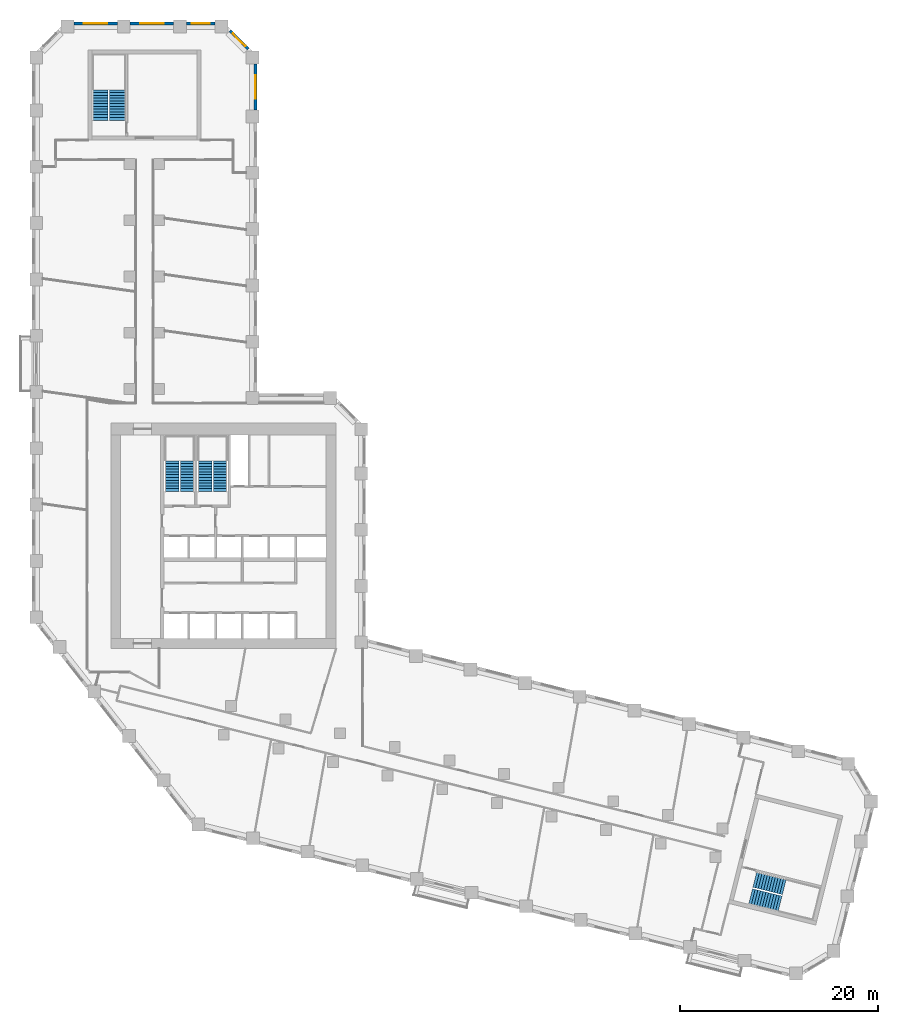
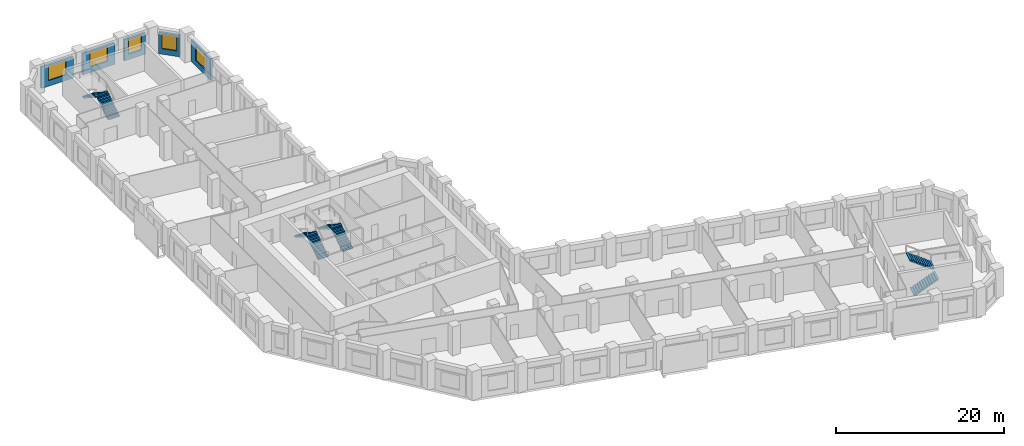
# One storey, part 9 of 10: 8 stair flights, 5 walls, 5 windows, 5 openings, 4 elements without a shape of their own.
"""IFC4 building model written with IfcOpenShell, lengths in metres."""

from ifc_helpers import new_model, si_unit, direction, frame, frame_2d, origin, place, context, subcontext, project, spatial, polyline, rectangle, outline, extrude, material, layer, layer_set, type_object, element, fill, aggregate, save


model = new_model("IFC4")

# Units and contexts
model_context = context("Model", 3, precision=1e-05, world=origin(), true_north=direction((0.0, 1.0)))
body_context = subcontext(model_context, "Body", "Model", "MODEL_VIEW")
ifc_project = project(units=[si_unit("LENGTHUNIT", "METRE"), si_unit("AREAUNIT", "SQUARE_METRE"), si_unit("VOLUMEUNIT", "CUBIC_METRE"), si_unit("PLANEANGLEUNIT", "RADIAN"), si_unit("MASSUNIT", "GRAM", prefix="KILO")], contexts=[model_context])

# Site, building, storey
site_placement = place(None, origin())
site = spatial("IfcSite", under=ifc_project, at=site_placement, CompositionType="ELEMENT")
building_placement = place(site_placement, origin())
building = spatial("IfcBuilding", under=site, at=building_placement, Name="Meshkara Civic Tower", CompositionType="ELEMENT")
storey_placement = place(building_placement, frame((0.0, 0.0, 109.800048828125)))
storey = spatial("IfcBuildingStorey", under=building, at=storey_placement, Name="L24", CompositionType="ELEMENT", Elevation=109.800048828125)

# Wall, opening, window
ifc_material_1 = material(Name="Insulated infill panel with bronze anodised aluminium cladding", Category="aluminium")
ifc_layer = layer(ifc_material_1, 0.300048828125)
ifc_layer_set = layer_set([ifc_layer], Name="EXTERNAL INFILL WALL 300")
wall_type = type_object("IfcWallType", Name="EXTERNAL INFILL WALL 300", PredefinedType="SOLIDWALL", material=ifc_layer_set)
wall_1_placement = place(storey_placement, frame((22.64990234375, 68.60009765625, 0.0), z_axis=(0.0, 0.0, 1.0), x_axis=(0.0, 1.0, 0.0)))
wall_1 = element("IfcWall", 1, at=wall_1_placement, inside=storey, type_object=wall_type, Name="External wall", PredefinedType="SOLIDWALL", context=body_context, shape_type="SweptSolid", body=[
    extrude(rectangle(XDim=4.663818359375, YDim=0.300048828125, at=frame_2d((2.33203125, 0.0))), origin(), (0.0, 0.0, 1.0), 3.099853515625),
])
opening_1_placement = place(wall_1_placement, frame((1.132080078125, 0.0, 0.800048828125)))
opening_1 = element("IfcOpeningElement", 2, at=opening_1_placement, cuts=wall_1, Name="Opening W7", PredefinedType="OPENING", context=body_context, shape_type="SweptSolid", body=[
    extrude(rectangle(XDim=2.39990234375, YDim=2.10009765625, at=frame_2d((1.199951171875, 1.050048828125))), frame((0.0, 0.159912109375, 0.0), z_axis=(0.0, -1.0, 0.0), x_axis=(1.0, 0.0, 0.0)), (0.0, 0.0, 1.0), 0.320068359375),
])
ifc_material_2 = material(Name="Tinted double glazing", Category="glass")
window_type_1 = type_object("IfcWindowType", Name="WINDOW 2400x2100", PartitioningType="DOUBLE_PANEL_VERTICAL", PredefinedType="WINDOW", material=ifc_material_2)
window_1_placement = place(opening_1_placement, origin())
window_1 = element("IfcWindow", 3, at=window_1_placement, inside=storey, type_object=window_type_1, Name="Window", OverallHeight=2.10009765625, OverallWidth=2.39990234375, PartitioningType="DOUBLE_PANEL_VERTICAL", PredefinedType="WINDOW", context=body_context, shape_type="SweptSolid", body=[
    extrude(rectangle(XDim=2.39990234375, YDim=2.10009765625, at=frame_2d((1.199951171875, 1.050048828125))), frame((0.0, 0.030029296875, 0.0), z_axis=(0.0, -1.0, 0.0), x_axis=(1.0, 0.0, 0.0)), (0.0, 0.0, 1.0), 0.06005859375),
])
fill(opening_1, window_1)

wall_2_placement = place(storey_placement, frame((21.912109375, 74.77587890625, 0.0), z_axis=(0.0, 0.0, 1.0), x_axis=(-0.707106781187, 0.707106781187, 0.0)))
wall_2 = element("IfcWall", 4, at=wall_2_placement, inside=storey, type_object=wall_type, Name="External wall", PredefinedType="SOLIDWALL", context=body_context, shape_type="SweptSolid", body=[
    extrude(rectangle(XDim=2.625, YDim=0.300048828125, at=frame_2d((1.3125, 0.0))), origin(), (0.0, 0.0, 1.0), 3.099853515625),
])
opening_2_placement = place(wall_2_placement, frame((0.412109375, 0.0, 0.800048828125)))
opening_2 = element("IfcOpeningElement", 5, at=opening_2_placement, cuts=wall_2, Name="Opening W9", PredefinedType="OPENING", context=body_context, shape_type="SweptSolid", body=[
    extrude(rectangle(XDim=1.800048828125, YDim=2.10009765625, at=frame_2d((0.89990234375, 1.050048828125))), frame((0.0, 0.159912109375, 0.0), z_axis=(0.0, -1.0, 0.0), x_axis=(1.0, 0.0, 0.0)), (0.0, 0.0, 1.0), 0.320068359375),
])
ifc_material_3 = material(Name="Tinted double glazing", Category="glass")
window_type_2 = type_object("IfcWindowType", Name="WINDOW 1800x2100", PartitioningType="DOUBLE_PANEL_VERTICAL", PredefinedType="WINDOW", material=ifc_material_3)
window_2_placement = place(opening_2_placement, origin())
window_2 = element("IfcWindow", 6, at=window_2_placement, inside=storey, type_object=window_type_2, Name="Window", OverallHeight=2.10009765625, OverallWidth=1.800048828125, PartitioningType="DOUBLE_PANEL_VERTICAL", PredefinedType="WINDOW", context=body_context, shape_type="SweptSolid", body=[
    extrude(rectangle(XDim=1.800048828125, YDim=2.10009765625, at=frame_2d((0.89990234375, 1.050048828125))), frame((0.0, 0.030029296875, 0.0), z_axis=(0.0, -1.0, 0.0), x_axis=(1.0, 0.0, 0.0)), (0.0, 0.0, 1.0), 0.06005859375),
])
fill(opening_2, window_2)

wall_3_placement = place(storey_placement, frame((18.5439453125, 77.3701171875, 0.0), z_axis=(0.0, 0.0, 1.0), x_axis=(-1.0, 0.0, 0.0)))
wall_3 = element("IfcWall", 7, at=wall_3_placement, inside=storey, type_object=wall_type, Name="External wall", PredefinedType="SOLIDWALL", context=body_context, shape_type="SweptSolid", body=[
    extrude(rectangle(XDim=2.887939453125, YDim=0.300048828125, at=frame_2d((1.44384765625, 0.0))), origin(), (0.0, 0.0, 1.0), 3.099853515625),
])
opening_3_placement = place(wall_3_placement, frame((0.5439453125, 0.0, 0.800048828125)))
opening_3 = element("IfcOpeningElement", 8, at=opening_3_placement, cuts=wall_3, Name="Opening W9", PredefinedType="OPENING", context=body_context, shape_type="SweptSolid", body=[
    extrude(rectangle(XDim=1.800048828125, YDim=2.10009765625, at=frame_2d((0.89990234375, 1.050048828125))), frame((0.0, 0.159912109375, 0.0), z_axis=(0.0, -1.0, 0.0), x_axis=(1.0, 0.0, 0.0)), (0.0, 0.0, 1.0), 0.320068359375),
])
window_3_placement = place(opening_3_placement, origin())
window_3 = element("IfcWindow", 9, at=window_3_placement, inside=storey, type_object=window_type_2, Name="Window", OverallHeight=2.10009765625, OverallWidth=1.800048828125, PartitioningType="DOUBLE_PANEL_VERTICAL", PredefinedType="WINDOW", context=body_context, shape_type="SweptSolid", body=[
    extrude(rectangle(XDim=1.800048828125, YDim=2.10009765625, at=frame_2d((0.89990234375, 1.050048828125))), frame((0.0, 0.030029296875, 0.0), z_axis=(0.0, -1.0, 0.0), x_axis=(1.0, 0.0, 0.0)), (0.0, 0.0, 1.0), 0.06005859375),
])
fill(opening_3, window_3)

wall_4_placement = place(storey_placement, frame((14.35595703125, 77.3701171875, 0.0), z_axis=(0.0, 0.0, 1.0), x_axis=(-1.0, 0.0, 0.0)))
wall_4 = element("IfcWall", 10, at=wall_4_placement, inside=storey, type_object=wall_type, Name="External wall", PredefinedType="SOLIDWALL", context=body_context, shape_type="SweptSolid", body=[
    extrude(rectangle(XDim=4.39990234375, YDim=0.300048828125, at=frame_2d((2.199951171875, 0.0))), origin(), (0.0, 0.0, 1.0), 3.099853515625),
])
opening_4_placement = place(wall_4_placement, frame((1.0, 0.0, 0.800048828125)))
opening_4 = element("IfcOpeningElement", 11, at=opening_4_placement, cuts=wall_4, Name="Opening W7", PredefinedType="OPENING", context=body_context, shape_type="SweptSolid", body=[
    extrude(rectangle(XDim=2.39990234375, YDim=2.10009765625, at=frame_2d((1.199951171875, 1.050048828125))), frame((0.0, 0.159912109375, 0.0), z_axis=(0.0, -1.0, 0.0), x_axis=(1.0, 0.0, 0.0)), (0.0, 0.0, 1.0), 0.320068359375),
])
window_4_placement = place(opening_4_placement, origin())
window_4 = element("IfcWindow", 12, at=window_4_placement, inside=storey, type_object=window_type_1, Name="Window", OverallHeight=2.10009765625, OverallWidth=2.39990234375, PartitioningType="DOUBLE_PANEL_VERTICAL", PredefinedType="WINDOW", context=body_context, shape_type="SweptSolid", body=[
    extrude(rectangle(XDim=2.39990234375, YDim=2.10009765625, at=frame_2d((1.199951171875, 1.050048828125))), frame((0.0, 0.030029296875, 0.0), z_axis=(0.0, -1.0, 0.0), x_axis=(1.0, 0.0, 0.0)), (0.0, 0.0, 1.0), 0.06005859375),
])
fill(opening_4, window_4)

wall_5_placement = place(storey_placement, frame((8.656005859375, 77.3701171875, 0.0), z_axis=(0.0, 0.0, 1.0), x_axis=(-1.0, 0.0, 0.0)))
wall_5 = element("IfcWall", 13, at=wall_5_placement, inside=storey, type_object=wall_type, Name="External wall", PredefinedType="SOLIDWALL", context=body_context, shape_type="SweptSolid", body=[
    extrude(rectangle(XDim=4.39990234375, YDim=0.300048828125, at=frame_2d((2.199951171875, 0.0))), origin(), (0.0, 0.0, 1.0), 3.099853515625),
])
opening_5_placement = place(wall_5_placement, frame((1.0, 0.0, 0.800048828125)))
opening_5 = element("IfcOpeningElement", 14, at=opening_5_placement, cuts=wall_5, Name="Opening W7", PredefinedType="OPENING", context=body_context, shape_type="SweptSolid", body=[
    extrude(rectangle(XDim=2.39990234375, YDim=2.10009765625, at=frame_2d((1.199951171875, 1.050048828125))), frame((0.0, 0.159912109375, 0.0), z_axis=(0.0, -1.0, 0.0), x_axis=(1.0, 0.0, 0.0)), (0.0, 0.0, 1.0), 0.320068359375),
])
window_5_placement = place(opening_5_placement, origin())
window_5 = element("IfcWindow", 15, at=window_5_placement, inside=storey, type_object=window_type_1, Name="Window", OverallHeight=2.10009765625, OverallWidth=2.39990234375, PartitioningType="DOUBLE_PANEL_VERTICAL", PredefinedType="WINDOW", context=body_context, shape_type="SweptSolid", body=[
    extrude(rectangle(XDim=2.39990234375, YDim=2.10009765625, at=frame_2d((1.199951171875, 1.050048828125))), frame((0.0, 0.030029296875, 0.0), z_axis=(0.0, -1.0, 0.0), x_axis=(1.0, 0.0, 0.0)), (0.0, 0.0, 1.0), 0.06005859375),
])
fill(opening_5, window_5)

# Stair, stair flights
ifc_material_4 = material(Name="Precast concrete C40/50", Category="concrete")
stair_type_1 = type_object("IfcStairType", Name="Exit stair half-turn 24 risers 1600 precast", PredefinedType="HALF_TURN_STAIR", material=ifc_material_4)
stair_1_placement = place(storey_placement, origin())
stair_1 = element("IfcStair", 16, at=stair_1_placement, inside=storey, type_object=stair_type_1, Name="L24 exit stair A from L20", PredefinedType="HALF_TURN_STAIR")
ifc_material_5 = material(Name="Precast concrete C40/50", Category="concrete")
stair_flight_type_1 = type_object("IfcStairFlightType", Name="Exit stair flight 12 risers 1600 precast", PredefinedType="STRAIGHT", material=ifc_material_5)
stair_flight_1_placement = place(storey_placement, frame((8.675048828125, 67.570068359375, 0.0), z_axis=(0.0, 0.0, 1.0), x_axis=(0.0, 1.0, 0.0)))
stair_flight_1 = element("IfcStairFlight", 17, at=stair_flight_1_placement, type_object=stair_flight_type_1, Name="ESA2 flight 1", NumberOfRisers=12, NumberOfTreads=11, PredefinedType="STRAIGHT", RiserHeight=0.175, TreadLength=0.28, context=body_context, shape_type="SweptSolid", body=[
    extrude(outline(polyline([(0.0, 0.0), (0.0, 0.175048828125), (0.280029296875, 0.175048828125), (0.280029296875, 0.35009765625), (0.56005859375, 0.35009765625), (0.56005859375, 0.52490234375), (0.840087890625, 0.52490234375), (0.840087890625, 0.699951171875), (1.1201171875, 0.699951171875), (1.1201171875, 0.875), (1.39990234375, 0.875), (1.39990234375, 1.050048828125), (1.679931640625, 1.050048828125), (1.679931640625, 1.22509765625), (1.9599609375, 1.22509765625), (1.9599609375, 1.39990234375), (2.239990234375, 1.39990234375), (2.239990234375, 1.574951171875), (2.52001953125, 1.574951171875), (2.52001953125, 1.75), (2.800048828125, 1.75), (2.800048828125, 1.925048828125), (3.080078125, 1.925048828125), (3.080078125, 2.10009765625), (3.080078125, 1.748291015625), (0.28271484375, 0.0), (0.0, 0.0)])), frame((0.0, 0.800048828125, 0.0), z_axis=(0.0, -1.0, 0.0), x_axis=(1.0, 0.0, 0.0)), (0.0, 0.0, 1.0), 1.60009765625),
])
stair_flight_2_placement = place(storey_placement, frame((6.925048828125, 70.64990234375, 2.099853515625), z_axis=(0.0, 0.0, 1.0), x_axis=(0.0, -1.0, 0.0)))
stair_flight_2 = element("IfcStairFlight", 18, at=stair_flight_2_placement, type_object=stair_flight_type_1, Name="ESA2 flight 2", NumberOfRisers=12, NumberOfTreads=11, PredefinedType="STRAIGHT", RiserHeight=0.175, TreadLength=0.28, context=body_context, shape_type="SweptSolid", body=[
    extrude(outline(polyline([(0.0, 0.0), (0.0, 0.175048828125), (0.280029296875, 0.175048828125), (0.280029296875, 0.35009765625), (0.56005859375, 0.35009765625), (0.56005859375, 0.52490234375), (0.840087890625, 0.52490234375), (0.840087890625, 0.699951171875), (1.1201171875, 0.699951171875), (1.1201171875, 0.875), (1.39990234375, 0.875), (1.39990234375, 1.050048828125), (1.679931640625, 1.050048828125), (1.679931640625, 1.22509765625), (1.9599609375, 1.22509765625), (1.9599609375, 1.39990234375), (2.239990234375, 1.39990234375), (2.239990234375, 1.574951171875), (2.52001953125, 1.574951171875), (2.52001953125, 1.75), (2.800048828125, 1.75), (2.800048828125, 1.925048828125), (3.080078125, 1.925048828125), (3.080078125, 2.10009765625), (3.080078125, 1.748291015625), (0.28271484375, 0.0), (0.0, 0.0)])), frame((0.0, 0.800048828125, 0.0), z_axis=(0.0, -1.0, 0.0), x_axis=(1.0, 0.0, 0.0)), (0.0, 0.0, 1.0), 1.60009765625),
])
aggregate(stair_1, [stair_flight_1, stair_flight_2])

stair_2_placement = place(storey_placement, origin())
stair_2 = element("IfcStair", 19, at=stair_2_placement, inside=storey, type_object=stair_type_1, Name="L24 exit stair B from L20", PredefinedType="HALF_TURN_STAIR")
stair_flight_3_placement = place(storey_placement, frame((72.7685546875, -11.00634765625, 0.0), z_axis=(0.0, 0.0, 1.0), x_axis=(0.970260066579, -0.242064873955, 0.0)))
stair_flight_3 = element("IfcStairFlight", 20, at=stair_flight_3_placement, type_object=stair_flight_type_1, Name="ESB2 flight 1", NumberOfRisers=12, NumberOfTreads=11, PredefinedType="STRAIGHT", RiserHeight=0.175, TreadLength=0.28, context=body_context, shape_type="SweptSolid", body=[
    extrude(outline(polyline([(0.0, 0.0), (0.0, 0.175048828125), (0.280029296875, 0.175048828125), (0.280029296875, 0.35009765625), (0.56005859375, 0.35009765625), (0.56005859375, 0.52490234375), (0.840087890625, 0.52490234375), (0.840087890625, 0.699951171875), (1.1201171875, 0.699951171875), (1.1201171875, 0.875), (1.39990234375, 0.875), (1.39990234375, 1.050048828125), (1.679931640625, 1.050048828125), (1.679931640625, 1.22509765625), (1.9599609375, 1.22509765625), (1.9599609375, 1.39990234375), (2.239990234375, 1.39990234375), (2.239990234375, 1.574951171875), (2.52001953125, 1.574951171875), (2.52001953125, 1.75), (2.800048828125, 1.75), (2.800048828125, 1.925048828125), (3.080078125, 1.925048828125), (3.080078125, 2.10009765625), (3.080078125, 1.748291015625), (0.28271484375, 0.0), (0.0, 0.0)])), frame((0.0, 0.800048828125, 0.0), z_axis=(0.0, -1.0, 0.0), x_axis=(1.0, 0.0, 0.0)), (0.0, 0.0, 1.0), 1.60009765625),
])
stair_flight_4_placement = place(storey_placement, frame((76.1806640625, -10.053955078125, 2.099853515625), z_axis=(0.0, 0.0, 1.0), x_axis=(-0.970260066579, 0.242064873955, 0.0)))
stair_flight_4 = element("IfcStairFlight", 21, at=stair_flight_4_placement, type_object=stair_flight_type_1, Name="ESB2 flight 2", NumberOfRisers=12, NumberOfTreads=11, PredefinedType="STRAIGHT", RiserHeight=0.175, TreadLength=0.28, context=body_context, shape_type="SweptSolid", body=[
    extrude(outline(polyline([(0.0, 0.0), (0.0, 0.175048828125), (0.280029296875, 0.175048828125), (0.280029296875, 0.35009765625), (0.56005859375, 0.35009765625), (0.56005859375, 0.52490234375), (0.840087890625, 0.52490234375), (0.840087890625, 0.699951171875), (1.1201171875, 0.699951171875), (1.1201171875, 0.875), (1.39990234375, 0.875), (1.39990234375, 1.050048828125), (1.679931640625, 1.050048828125), (1.679931640625, 1.22509765625), (1.9599609375, 1.22509765625), (1.9599609375, 1.39990234375), (2.239990234375, 1.39990234375), (2.239990234375, 1.574951171875), (2.52001953125, 1.574951171875), (2.52001953125, 1.75), (2.800048828125, 1.75), (2.800048828125, 1.925048828125), (3.080078125, 1.925048828125), (3.080078125, 2.10009765625), (3.080078125, 1.748291015625), (0.28271484375, 0.0), (0.0, 0.0)])), frame((0.0, 0.800048828125, 0.0), z_axis=(0.0, -1.0, 0.0), x_axis=(1.0, 0.0, 0.0)), (0.0, 0.0, 1.0), 1.60009765625),
])
aggregate(stair_2, [stair_flight_3, stair_flight_4])

ifc_material_6 = material(Name="Precast concrete C40/50", Category="concrete")
stair_type_2 = type_object("IfcStairType", Name="Exit stair half-turn 24 risers precast", PredefinedType="HALF_TURN_STAIR", material=ifc_material_6)
stair_3_placement = place(storey_placement, origin())
stair_3 = element("IfcStair", 22, at=stair_3_placement, inside=storey, type_object=stair_type_2, Name="L24 exit stair 1", PredefinedType="HALF_TURN_STAIR")
ifc_material_7 = material(Name="Precast concrete C40/50", Category="concrete")
stair_flight_type_2 = type_object("IfcStairFlightType", Name="Exit stair flight 12 risers precast", PredefinedType="STRAIGHT", material=ifc_material_7)
stair_flight_5_placement = place(storey_placement, frame((15.72509765625, 30.0, 0.0), z_axis=(0.0, 0.0, 1.0), x_axis=(0.0, 1.0, 0.0)))
stair_flight_5 = element("IfcStairFlight", 23, at=stair_flight_5_placement, type_object=stair_flight_type_2, Name="ST1 flight 1", NumberOfRisers=12, NumberOfTreads=11, PredefinedType="STRAIGHT", RiserHeight=0.175, TreadLength=0.28, context=body_context, shape_type="SweptSolid", body=[
    extrude(outline(polyline([(0.0, 0.0), (0.0, 0.175048828125), (0.280029296875, 0.175048828125), (0.280029296875, 0.35009765625), (0.56005859375, 0.35009765625), (0.56005859375, 0.52490234375), (0.840087890625, 0.52490234375), (0.840087890625, 0.699951171875), (1.1201171875, 0.699951171875), (1.1201171875, 0.875), (1.39990234375, 0.875), (1.39990234375, 1.050048828125), (1.679931640625, 1.050048828125), (1.679931640625, 1.22509765625), (1.9599609375, 1.22509765625), (1.9599609375, 1.39990234375), (2.239990234375, 1.39990234375), (2.239990234375, 1.574951171875), (2.52001953125, 1.574951171875), (2.52001953125, 1.75), (2.800048828125, 1.75), (2.800048828125, 1.925048828125), (3.080078125, 1.925048828125), (3.080078125, 2.10009765625), (3.080078125, 1.748291015625), (0.28271484375, 0.0), (0.0, 0.0)])), frame((0.0, 0.699951171875, 0.0), z_axis=(0.0, -1.0, 0.0), x_axis=(1.0, 0.0, 0.0)), (0.0, 0.0, 1.0), 1.39990234375),
])
stair_flight_6_placement = place(storey_placement, frame((14.175048828125, 33.080078125, 2.099853515625), z_axis=(0.0, 0.0, 1.0), x_axis=(0.0, -1.0, 0.0)))
stair_flight_6 = element("IfcStairFlight", 24, at=stair_flight_6_placement, type_object=stair_flight_type_2, Name="ST1 flight 2", NumberOfRisers=12, NumberOfTreads=11, PredefinedType="STRAIGHT", RiserHeight=0.175, TreadLength=0.28, context=body_context, shape_type="SweptSolid", body=[
    extrude(outline(polyline([(0.0, 0.0), (0.0, 0.175048828125), (0.280029296875, 0.175048828125), (0.280029296875, 0.35009765625), (0.56005859375, 0.35009765625), (0.56005859375, 0.52490234375), (0.840087890625, 0.52490234375), (0.840087890625, 0.699951171875), (1.1201171875, 0.699951171875), (1.1201171875, 0.875), (1.39990234375, 0.875), (1.39990234375, 1.050048828125), (1.679931640625, 1.050048828125), (1.679931640625, 1.22509765625), (1.9599609375, 1.22509765625), (1.9599609375, 1.39990234375), (2.239990234375, 1.39990234375), (2.239990234375, 1.574951171875), (2.52001953125, 1.574951171875), (2.52001953125, 1.75), (2.800048828125, 1.75), (2.800048828125, 1.925048828125), (3.080078125, 1.925048828125), (3.080078125, 2.10009765625), (3.080078125, 1.748291015625), (0.28271484375, 0.0), (0.0, 0.0)])), frame((0.0, 0.699951171875, 0.0), z_axis=(0.0, -1.0, 0.0), x_axis=(1.0, 0.0, 0.0)), (0.0, 0.0, 1.0), 1.39990234375),
])
aggregate(stair_3, [stair_flight_5, stair_flight_6])

stair_4_placement = place(storey_placement, origin())
stair_4 = element("IfcStair", 25, at=stair_4_placement, inside=storey, type_object=stair_type_2, Name="L24 exit stair 2", PredefinedType="HALF_TURN_STAIR")
stair_flight_7_placement = place(storey_placement, frame((19.074951171875, 30.0, 0.0), z_axis=(0.0, 0.0, 1.0), x_axis=(0.0, 1.0, 0.0)))
stair_flight_7 = element("IfcStairFlight", 26, at=stair_flight_7_placement, type_object=stair_flight_type_2, Name="ST2 flight 1", NumberOfRisers=12, NumberOfTreads=11, PredefinedType="STRAIGHT", RiserHeight=0.175, TreadLength=0.28, context=body_context, shape_type="SweptSolid", body=[
    extrude(outline(polyline([(0.0, 0.0), (0.0, 0.175048828125), (0.280029296875, 0.175048828125), (0.280029296875, 0.35009765625), (0.56005859375, 0.35009765625), (0.56005859375, 0.52490234375), (0.840087890625, 0.52490234375), (0.840087890625, 0.699951171875), (1.1201171875, 0.699951171875), (1.1201171875, 0.875), (1.39990234375, 0.875), (1.39990234375, 1.050048828125), (1.679931640625, 1.050048828125), (1.679931640625, 1.22509765625), (1.9599609375, 1.22509765625), (1.9599609375, 1.39990234375), (2.239990234375, 1.39990234375), (2.239990234375, 1.574951171875), (2.52001953125, 1.574951171875), (2.52001953125, 1.75), (2.800048828125, 1.75), (2.800048828125, 1.925048828125), (3.080078125, 1.925048828125), (3.080078125, 2.10009765625), (3.080078125, 1.748291015625), (0.28271484375, 0.0), (0.0, 0.0)])), frame((0.0, 0.699951171875, 0.0), z_axis=(0.0, -1.0, 0.0), x_axis=(1.0, 0.0, 0.0)), (0.0, 0.0, 1.0), 1.39990234375),
])
stair_flight_8_placement = place(storey_placement, frame((17.52490234375, 33.080078125, 2.099853515625), z_axis=(0.0, 0.0, 1.0), x_axis=(0.0, -1.0, 0.0)))
stair_flight_8 = element("IfcStairFlight", 27, at=stair_flight_8_placement, type_object=stair_flight_type_2, Name="ST2 flight 2", NumberOfRisers=12, NumberOfTreads=11, PredefinedType="STRAIGHT", RiserHeight=0.175, TreadLength=0.28, context=body_context, shape_type="SweptSolid", body=[
    extrude(outline(polyline([(0.0, 0.0), (0.0, 0.175048828125), (0.280029296875, 0.175048828125), (0.280029296875, 0.35009765625), (0.56005859375, 0.35009765625), (0.56005859375, 0.52490234375), (0.840087890625, 0.52490234375), (0.840087890625, 0.699951171875), (1.1201171875, 0.699951171875), (1.1201171875, 0.875), (1.39990234375, 0.875), (1.39990234375, 1.050048828125), (1.679931640625, 1.050048828125), (1.679931640625, 1.22509765625), (1.9599609375, 1.22509765625), (1.9599609375, 1.39990234375), (2.239990234375, 1.39990234375), (2.239990234375, 1.574951171875), (2.52001953125, 1.574951171875), (2.52001953125, 1.75), (2.800048828125, 1.75), (2.800048828125, 1.925048828125), (3.080078125, 1.925048828125), (3.080078125, 2.10009765625), (3.080078125, 1.748291015625), (0.28271484375, 0.0), (0.0, 0.0)])), frame((0.0, 0.699951171875, 0.0), z_axis=(0.0, -1.0, 0.0), x_axis=(1.0, 0.0, 0.0)), (0.0, 0.0, 1.0), 1.39990234375),
])
aggregate(stair_4, [stair_flight_7, stair_flight_8])

save(model, "model.ifc")
